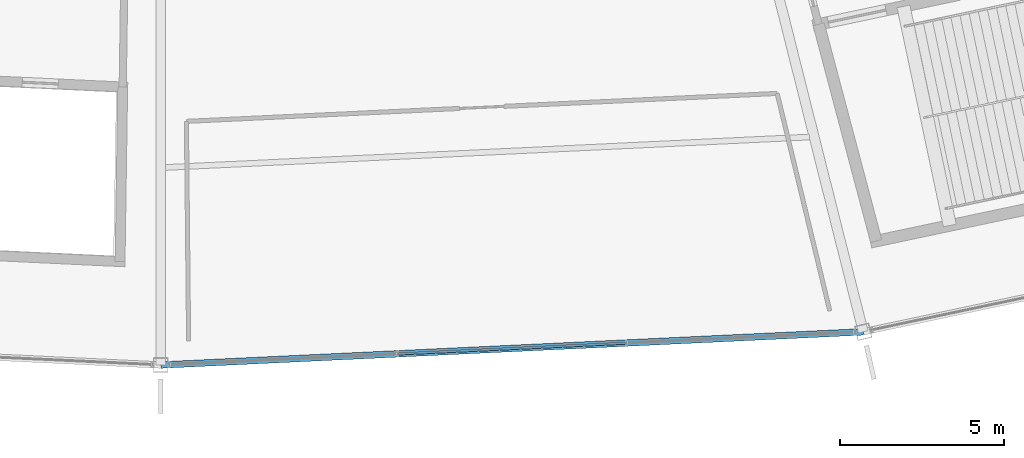
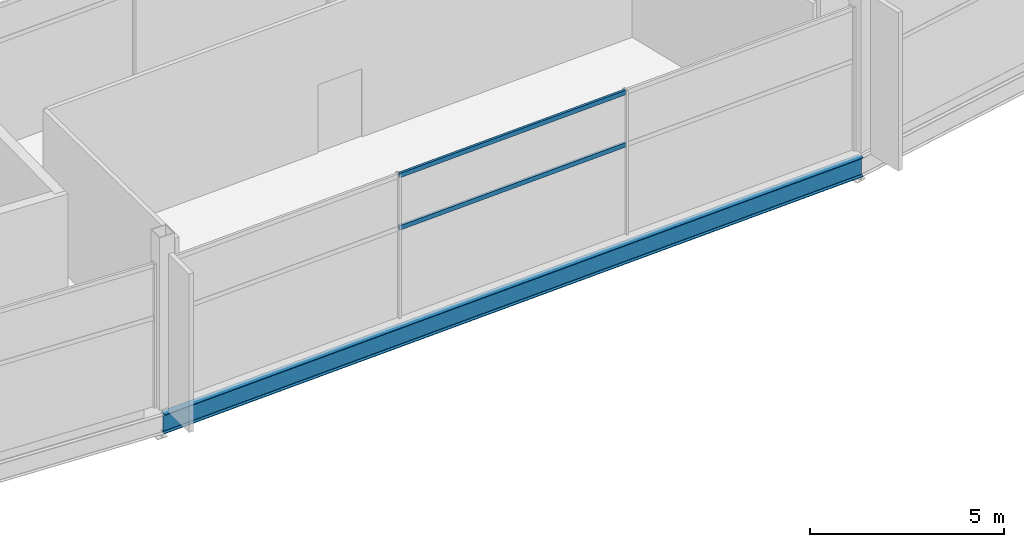
# One storey, part 34 of 186: 2 members, 1 beam, 1 element without a shape of its own.
"""IFC4 building model written with IfcOpenShell, lengths in metres."""

from ifc_helpers import new_model, si_unit, direction, frame, origin, origin_2d, place, context, subcontext, project, spatial, hollow_rectangle, i_section, extrude, material, layer, layer_set, material_profile, profile_set, type_object, element, aggregate, save


model = new_model("IFC4")

# Units and contexts
model_context = context("Model", 3, precision=1e-05, world=origin(), true_north=direction((0.0, 1.0)))
body_context = subcontext(model_context, "Body", "Model", "MODEL_VIEW")
ifc_project = project(units=[si_unit("LENGTHUNIT", "METRE"), si_unit("AREAUNIT", "SQUARE_METRE"), si_unit("VOLUMEUNIT", "CUBIC_METRE"), si_unit("PLANEANGLEUNIT", "RADIAN"), si_unit("MASSUNIT", "GRAM", prefix="KILO")], contexts=[model_context])

# Site, building, storey
site_placement = place(None, origin())
site = spatial("IfcSite", under=ifc_project, at=site_placement, CompositionType="ELEMENT")
building_placement = place(site_placement, origin())
building = spatial("IfcBuilding", under=site, at=building_placement, Name="Kazemori Nagisa Stadium", CompositionType="ELEMENT")
storey_placement = place(building_placement, frame((0.0, 0.0, 20.39990234375)))
storey = spatial("IfcBuildingStorey", under=building, at=storey_placement, Name="L04", CompositionType="ELEMENT", Elevation=20.39990234375)

# Beam
ifc_material_1 = material(Name="Steel SN490B", Category="steel")
ifc_material_profile_1 = material_profile(ifc_material_1, i_section(OverallWidth=0.199951171875, OverallDepth=0.60009765625, WebThickness=0.010986328125, FlangeThickness=0.01708984375, FilletRadius=0.012939453125, at=origin_2d()), Name="H-600x200x11x17")
ifc_profile_set_1 = profile_set([ifc_material_profile_1], Name="Steel SN490B")
beam_type = type_object("IfcBeamType", Name="Beam_BS-H600", PredefinedType="SPANDREL", material=ifc_profile_set_1)
beam_placement = place(storey_placement, frame((123.0, 16.0, -0.599853515625), z_axis=(0.998883994571, 0.047230979144, 0.0), x_axis=(-0.047230979144, 0.998883994571, 0.0)))
element("IfcBeam", 1, at=beam_placement, inside=storey, type_object=beam_type, Name="Ring girder BS-H600 L04 R3-22", PredefinedType="SPANDREL", context=body_context, shape_type="SweptSolid", body=[
    extrude(i_section(OverallWidth=0.199951171875, OverallDepth=0.60009765625, WebThickness=0.010986328125, FlangeThickness=0.01708984375, FilletRadius=0.012939453125, at=origin_2d()), origin(), (0.0, 0.0, 1.0), 21.45166015625),
])

# Curtain wall, members
ifc_material_2 = material(Name="Anodised aluminium 6063-T5", Category="aluminium")
ifc_layer = layer(ifc_material_2, 0.179931640625, Name="Anodised aluminium 6063-T5", Category="aluminium")
ifc_layer_set = layer_set([ifc_layer], Name="Anodised aluminium 6063-T5")
curtain_wall_type = type_object("IfcCurtainWallType", Name="CW_L04R3_105", PredefinedType="USERDEFINED", material=ifc_layer_set)
curtain_wall_placement = place(storey_placement, origin())
curtain_wall = element("IfcCurtainWall", 2, at=curtain_wall_placement, inside=storey, type_object=curtain_wall_type, Name="Unitised curtain wall CW-L04R3-105 L04", ObjectType="UNITISED CURTAIN WALL", PredefinedType="USERDEFINED")
ifc_material_3 = material(Name="Aluminium 6063-T5 anodised", Category="aluminium")
ifc_material_profile_2 = material_profile(ifc_material_3, hollow_rectangle(XDim=0.070068359375, YDim=0.139892578125, WallThickness=0.00390625, at=origin_2d()), Name="ALU-TRAN-70x140x4")
ifc_profile_set_2 = profile_set([ifc_material_profile_2], Name="Aluminium 6063-T5 anodised")
member_type = type_object("IfcMemberType", Name="Transom_T01", PredefinedType="USERDEFINED", material=ifc_profile_set_2)
member_1_placement = place(storey_placement, frame((130.24755859375, 16.3427734375, 2.80859375), z_axis=(0.998885105073, 0.047207487358, 0.0), x_axis=(-0.047207487358, 0.998885105073, 0.0)))
member_1 = element("IfcMember", 3, at=member_1_placement, type_object=member_type, Name="Curtain wall transom CW-L04R3-105-T2-mid", ObjectType="TRANSOM", PredefinedType="USERDEFINED", context=body_context, shape_type="SweptSolid", body=[
    extrude(hollow_rectangle(XDim=0.070068359375, YDim=0.139892578125, WallThickness=0.00390625, at=origin_2d()), origin(), (0.0, 0.0, 1.0), 6.9404296875),
])
member_2_placement = place(storey_placement, frame((130.24755859375, 16.3427734375, 4.460205078125), z_axis=(0.998885105073, 0.047207487358, 0.0), x_axis=(-0.047207487358, 0.998885105073, 0.0)))
member_2 = element("IfcMember", 4, at=member_2_placement, type_object=member_type, Name="Curtain wall transom CW-L04R3-105-T2-head", ObjectType="TRANSOM", PredefinedType="USERDEFINED", context=body_context, shape_type="SweptSolid", body=[
    extrude(hollow_rectangle(XDim=0.070068359375, YDim=0.139892578125, WallThickness=0.00390625, at=origin_2d()), origin(), (0.0, 0.0, 1.0), 6.9404296875),
])
aggregate(curtain_wall, [member_1, member_2])

save(model, "model.ifc")
